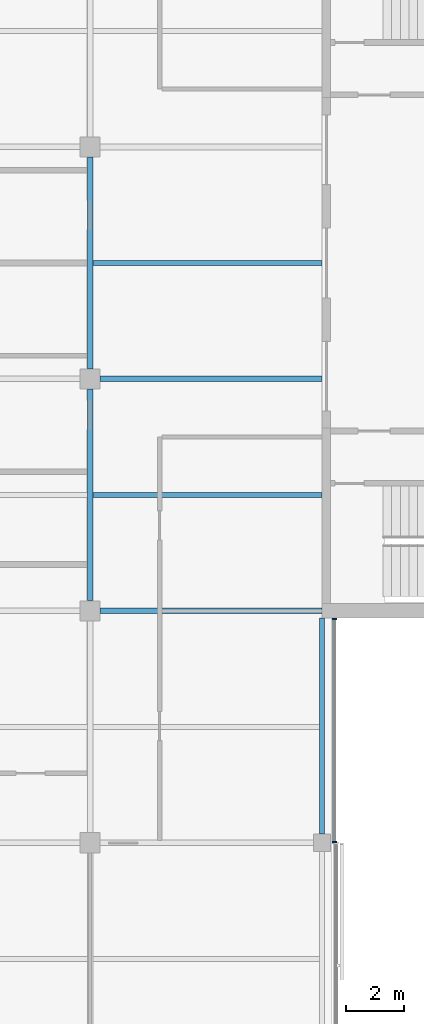
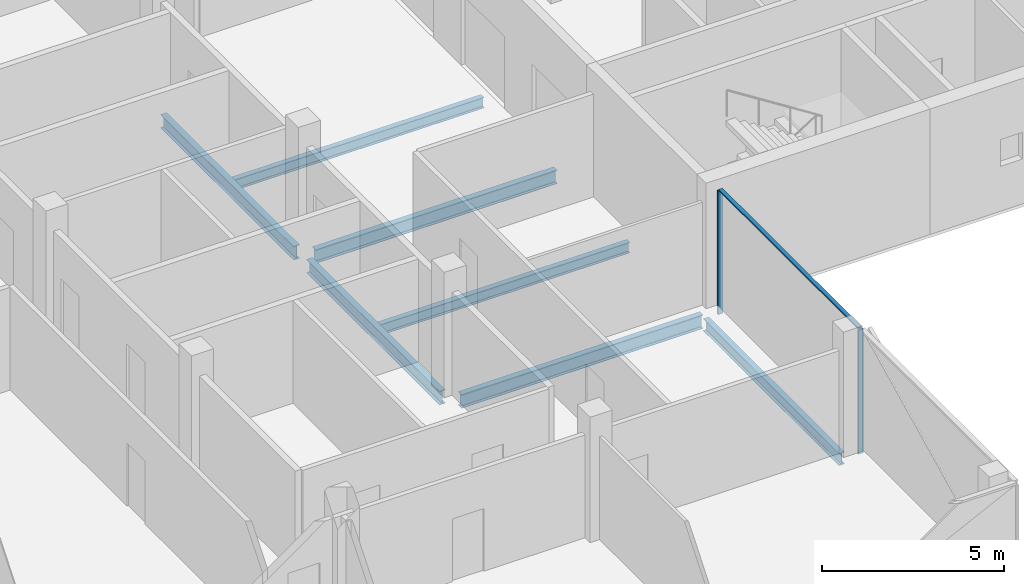
# One storey, part 4 of 16: 7 beams, 3 members, 1 element without a shape of its own.
"""IFC4 building model written with IfcOpenShell, lengths in metres."""

import ifcopenshell
import ifcopenshell.guid

model = None  # the IFC model being written
_history = None  # IfcOwnerHistory: only IFC2X3 demands one
_inside = {}  # id of a spatial element -> (the spatial element, [elements in it])
_under = {}  # id of a project, library or spatial element -> (it, [spatial elements below it])
_declared = {}  # id of a project -> (the project, [libraries it declares])
_typed = {}  # id of a type object -> (the type object, [elements of that type])
_made_of = {}  # id of a material, layer set ... -> (it, [elements and type objects made of it])


def new_model(schema):
    """Start an empty IFC model of exactly this schema.

    Asked for "IFC4X3", IfcOpenShell would pick the latest addendum, in which some entities
    have other attributes; the version numbers below select the first issue.
    IFC2X3 requires an IfcOwnerHistory on every rooted entity: one is made here for all.
    """
    global model, _history
    if schema == "IFC4X3":
        model = ifcopenshell.file(schema_version=(4, 3, 0, 0))
    else:
        model = ifcopenshell.file(schema=schema)
    _inside.clear()
    _under.clear()
    _declared.clear()
    _typed.clear()
    _made_of.clear()
    _history = None
    if model.schema == "IFC2X3":
        org = make("IfcOrganization", Name="unknown")
        user = make(
            "IfcPersonAndOrganization",
            ThePerson=make("IfcPerson", FamilyName="unknown"),
            TheOrganization=org,
        )
        app = make(
            "IfcApplication",
            ApplicationDeveloper=org,
            Version="unknown",
            ApplicationFullName="unknown",
            ApplicationIdentifier="unknown",
        )
        _history = make(
            "IfcOwnerHistory",
            OwningUser=user,
            OwningApplication=app,
            ChangeAction="ADDED",
            CreationDate=0,
        )
    return model


def make(cls, **values):
    """One entity of the class cls with the attributes given. An attribute that is None is left unset."""
    return model.create_entity(
        cls, **{name: value for name, value in values.items() if value is not None}
    )


def rooted(cls, **values):
    """An entity with a GlobalId (a new one), such as an element, a storey or a relation."""
    return make(cls, GlobalId=ifcopenshell.guid.new(), OwnerHistory=_history, **values)


def si_unit(unit_type, name, prefix=None):
    """IfcSIUnit, for example si_unit("LENGTHUNIT", "METRE", prefix="MILLI")."""
    return make("IfcSIUnit", UnitType=unit_type, Prefix=prefix, Name=name)


def assignment(units):
    """IfcUnitAssignment: the units of a project."""
    return None if units is None else make("IfcUnitAssignment", Units=units)


def point(xyz):
    """IfcCartesianPoint."""
    return None if xyz is None else make("IfcCartesianPoint", Coordinates=xyz)


def direction(xyz):
    """IfcDirection."""
    return None if xyz is None else make("IfcDirection", DirectionRatios=xyz)


def frame(location, z_axis=None, x_axis=None):
    """IfcAxis2Placement3D, a coordinate frame: its origin and axes. An axis left out is left unset."""
    return make(
        "IfcAxis2Placement3D",
        Location=point(location),
        Axis=direction(z_axis),
        RefDirection=direction(x_axis),
    )


def frame_2d(location, x_axis=None):
    """IfcAxis2Placement2D, a coordinate frame in the plane: its origin and x axis."""
    return make(
        "IfcAxis2Placement2D", Location=point(location), RefDirection=direction(x_axis)
    )


def origin():
    """The frame at (0, 0, 0) with its axes left unset."""
    return frame((0.0, 0.0, 0.0))


def origin_2d():
    """The frame at (0, 0) in the plane with its x axis left unset."""
    return frame_2d((0.0, 0.0))


def place(relative_to, where):
    """IfcLocalPlacement: puts the frame where relative to a parent placement (None: the world)."""
    return make(
        "IfcLocalPlacement", PlacementRelTo=relative_to, RelativePlacement=where
    )


def context(
    kind, dimensions, precision=None, world=None, true_north=None, identifier=None
):
    """IfcGeometricRepresentationContext, for example the 3D "Model" context."""
    return make(
        "IfcGeometricRepresentationContext",
        ContextIdentifier=identifier,
        ContextType=kind,
        CoordinateSpaceDimension=dimensions,
        Precision=precision,
        WorldCoordinateSystem=world,
        TrueNorth=true_north,
    )


def subcontext(parent, identifier, kind, view, scale=None):
    """IfcGeometricRepresentationSubContext, for example "Body" below "Model"."""
    return make(
        "IfcGeometricRepresentationSubContext",
        ContextIdentifier=identifier,
        ContextType=kind,
        ParentContext=parent,
        TargetScale=scale,
        TargetView=view,
    )


def project(units=None, contexts=None):
    """IfcProject with its units and contexts."""
    return rooted(
        "IfcProject",
        Name="project",
        RepresentationContexts=contexts,
        UnitsInContext=assignment(units),
    )


def spatial(cls, under=None, at=None, **own):
    """A site, building, storey or space (cls), placed at a placement, below another one or the project."""
    s = rooted(cls, ObjectPlacement=at, **own)
    if under is not None:
        _under.setdefault(under.id(), (under, []))[1].append(s)
    return s


def profile(cls, at=None, kind="AREA", **sizes):
    """A parametric profile (cls). Its sizes go by their IFC names, for example OverallWidth=200.0."""
    return make(cls, ProfileType=kind, Position=at, **sizes)


def rectangle(**sizes):
    """IfcRectangleProfileDef."""
    return profile("IfcRectangleProfileDef", **sizes)


def i_section(**sizes):
    """IfcIShapeProfileDef."""
    return profile("IfcIShapeProfileDef", **sizes)


def extrude(swept, where, along, depth):
    """IfcExtrudedAreaSolid: the profile swept, set in the frame where, extruded along a direction by depth."""
    return make(
        "IfcExtrudedAreaSolid",
        SweptArea=swept,
        Position=where,
        ExtrudedDirection=direction(along),
        Depth=depth,
    )


def shape(context_of_items, identifier, shape_type, items):
    """IfcShapeRepresentation: the items that make up one representation, for example the "Body"."""
    return make(
        "IfcShapeRepresentation",
        ContextOfItems=context_of_items,
        RepresentationIdentifier=identifier,
        RepresentationType=shape_type,
        Items=items,
    )


def material(Name=None, Category=None):
    """IfcMaterial."""
    return make("IfcMaterial", Name=Name, Category=Category)


def material_profile(
    of_material, cross_section, Name=None, Category=None, Priority=None
):
    """IfcMaterialProfile: a cross section and its material."""
    return make(
        "IfcMaterialProfile",
        Name=Name,
        Material=of_material,
        Profile=cross_section,
        Priority=Priority,
        Category=Category,
    )


def profile_set(profiles, Name=None, composite=None):
    """IfcMaterialProfileSet."""
    return make(
        "IfcMaterialProfileSet",
        Name=Name,
        MaterialProfiles=profiles,
        CompositeProfile=composite,
    )


def made_of(thing, what):
    """Note that an element or type object is made of a material, layer set ...; save() writes the relation."""
    if what is not None:
        _made_of.setdefault(what.id(), (what, []))[1].append(thing)
    return thing


def type_object(cls, material=None, **own):
    """A type object (cls), such as IfcWallType, which elements share."""
    return made_of(rooted(cls, **own), material)


def element(
    cls,
    number,
    at=None,
    inside=None,
    cuts=None,
    type_object=None,
    material=None,
    context=None,
    identifier="Body",
    shape_type=None,
    held_by="IfcProductDefinitionShape",
    body=None,
    shapes=None,
    **own,
):
    """One element of the class cls, such as IfcWall. Its Tag is "e" and its number.

    at: its placement. inside: the storey or other place that contains it. cuts: it is an
    opening in that element (IfcRelVoidsElement). A single representation is given by context,
    identifier, shape_type and body (its items); several are given by shapes. held_by: the class
    of the entity that holds the representations. save() writes the other relations.
    """
    e = rooted(cls, Tag="e%d" % number, ObjectPlacement=at, **own)
    if body is not None:
        shapes = [shape(context, identifier, shape_type, body)]
    if shapes is not None:
        e.Representation = make(held_by, Representations=shapes)
    if inside is not None:
        _inside.setdefault(inside.id(), (inside, []))[1].append(e)
    if cuts is not None:
        rooted(
            "IfcRelVoidsElement", RelatingBuildingElement=cuts, RelatedOpeningElement=e
        )
    if type_object is not None:
        _typed.setdefault(type_object.id(), (type_object, []))[1].append(e)
    return made_of(e, material)


def aggregate(whole, parts):
    """IfcRelAggregates: a whole, such as a stair, and the parts it consists of."""
    return rooted("IfcRelAggregates", RelatingObject=whole, RelatedObjects=parts)


def save(model, path):
    """Write the relations noted so far, then the file.

    IfcRelAggregates (storeys below a building ...), IfcRelContainedInSpatialStructure (elements
    in a storey), IfcRelDefinesByType, IfcRelAssociatesMaterial and IfcRelDeclares: one each for
    every whole, place, type object, material and project.
    """
    for whole, parts in _under.values():
        aggregate(whole, parts)
    for where, things in _inside.values():
        rooted(
            "IfcRelContainedInSpatialStructure",
            RelatedElements=things,
            RelatingStructure=where,
        )
    for kind, things in _typed.values():
        rooted("IfcRelDefinesByType", RelatedObjects=things, RelatingType=kind)
    for what, things in _made_of.values():
        rooted("IfcRelAssociatesMaterial", RelatedObjects=things, RelatingMaterial=what)
    for by, libraries in _declared.values():
        rooted("IfcRelDeclares", RelatingContext=by, RelatedDefinitions=libraries)
    model.write(path)


model = new_model("IFC4")

# Units and contexts
model_context = context("Model", 3, precision=1e-05, world=origin(), true_north=direction((0.0, 1.0)))
body_context = subcontext(model_context, "Body", "Model", "MODEL_VIEW")
ifc_project = project(units=[si_unit("LENGTHUNIT", "METRE"), si_unit("AREAUNIT", "SQUARE_METRE"), si_unit("VOLUMEUNIT", "CUBIC_METRE"), si_unit("PLANEANGLEUNIT", "RADIAN"), si_unit("MASSUNIT", "GRAM", prefix="KILO")], contexts=[model_context])

# Site, building, storey
site_placement = place(None, origin())
site = spatial("IfcSite", under=ifc_project, at=site_placement, CompositionType="ELEMENT")
building_placement = place(site_placement, origin())
building = spatial("IfcBuilding", under=site, at=building_placement, Name="Crosswind Convention Tower", CompositionType="ELEMENT")
storey_placement = place(building_placement, frame((0.0, 0.0, 249.300048828125)))
storey = spatial("IfcBuildingStorey", under=building, at=storey_placement, Name="L53", CompositionType="ELEMENT", Elevation=249.300048828125)

# Beams
ifc_material_1 = material(Name="Steel S355", Category="steel")
ifc_material_profile_1 = material_profile(ifc_material_1, i_section(OverallWidth=0.177734375, OverallDepth=0.406494140625, WebThickness=0.0078125, FlangeThickness=0.0126953125, FilletRadius=0.01025390625, at=origin_2d()), Name="UB 406x178x60")
ifc_profile_set_1 = profile_set([ifc_material_profile_1], Name="Steel S355")
beam_type_1 = type_object("IfcBeamType", Name="Edge beam UB 406x178x60", PredefinedType="SPANDREL", material=ifc_profile_set_1)
beam_placement = place(storey_placement, frame((137.0, 80.300048828125, -0.503173828125), z_axis=(0.0, 1.0, 0.0), x_axis=(-1.0, 0.0, 0.0)))
element("IfcBeam", 1, at=beam_placement, inside=storey, type_object=beam_type_1, Name="B15 L53 edge beam 12", PredefinedType="SPANDREL", context=body_context, shape_type="SweptSolid", body=[
    extrude(i_section(OverallWidth=0.177734375, OverallDepth=0.406494140625, WebThickness=0.0078125, FlangeThickness=0.0126953125, FilletRadius=0.01025390625, at=origin_2d()), origin(), (0.0, 0.0, 1.0), 7.449951171875),
])
ifc_material_profile_2 = material_profile(ifc_material_1, i_section(OverallWidth=0.18994140625, OverallDepth=0.45361328125, WebThickness=0.008544921875, FlangeThickness=0.0126953125, FilletRadius=0.01025390625, at=origin_2d()), Name="UB 457x191x67")
ifc_profile_set_2 = profile_set([ifc_material_profile_2], Name="Steel S355")
beam_type_2 = type_object("IfcBeamType", Name="Girder UB 457x191x67", PredefinedType="BEAM", material=ifc_profile_set_2)
for number, where, z_axis, x_axis, name in (
    (2, (129.0, 88.35009765625, -0.52685546875), (0.0, 1.0, 0.0), (-1.0, 0.0, 0.0), "B1 L53 girder 18"),
    (3, (129.0, 96.35009765625, -0.52685546875), (0.0, 1.0, 0.0), (-1.0, 0.0, 0.0), "B1 L53 girder 19"),
):
    element("IfcBeam", number, at=place(storey_placement, frame(where, z_axis=z_axis, x_axis=x_axis)), inside=storey, type_object=beam_type_2, Name=name, PredefinedType="BEAM", context=body_context, shape_type="SweptSolid", body=[
        extrude(i_section(OverallWidth=0.18994140625, OverallDepth=0.45361328125, WebThickness=0.008544921875, FlangeThickness=0.0126953125, FilletRadius=0.01025390625, at=origin_2d()), origin(), (0.0, 0.0, 1.0), 7.2998046875),
    ])
ifc_material_profile_3 = material_profile(ifc_material_1, i_section(OverallWidth=0.1904296875, OverallDepth=0.457275390625, WebThickness=0.009033203125, FlangeThickness=0.014404296875, FilletRadius=0.01025390625, at=origin_2d()), Name="UB 457x191x75")
ifc_profile_set_3 = profile_set([ifc_material_profile_3], Name="Steel S355")
beam_type_3 = type_object("IfcBeamType", Name="Girder at core wall UB 457x191x75", PredefinedType="BEAM", material=ifc_profile_set_3)
for number, where, z_axis, x_axis, name in (
    (4, (129.35009765625, 88.0, -0.528564453125), (1.0, 0.0, 0.0), (0.0, 1.0, 0.0), "B22 L53 girder at core wall 5"),
    (5, (129.35009765625, 96.0, -0.528564453125), (1.0, 0.0, 0.0), (0.0, 1.0, 0.0), "B22 L53 girder at core wall 6"),
):
    element("IfcBeam", number, at=place(storey_placement, frame(where, z_axis=z_axis, x_axis=x_axis)), inside=storey, type_object=beam_type_3, Name=name, PredefinedType="BEAM", context=body_context, shape_type="SweptSolid", body=[
        extrude(i_section(OverallWidth=0.1904296875, OverallDepth=0.457275390625, WebThickness=0.009033203125, FlangeThickness=0.014404296875, FilletRadius=0.01025390625, at=origin_2d()), origin(), (0.0, 0.0, 1.0), 7.64990234375),
    ])

# Curtain wall, members
ifc_material_2 = material(Name="Aluminium unitised curtain wall", Category="aluminium")
curtain_wall_type = type_object("IfcCurtainWallType", Name="CORE END SLOT WALL 160", PredefinedType="USERDEFINED", material=ifc_material_2)
curtain_wall_placement = place(storey_placement, origin())
curtain_wall = element("IfcCurtainWall", 6, at=curtain_wall_placement, inside=storey, type_object=curtain_wall_type, Name="CW6 L53 S-E.1-2 slot", ObjectType="UNITISED", PredefinedType="USERDEFINED")
ifc_material_3 = material(Name="Aluminium mullion", Category="aluminium")
ifc_material_profile_4 = material_profile(ifc_material_3, rectangle(XDim=0.159912109375, YDim=0.050048828125, at=origin_2d()), Name="AL 160X50")
ifc_profile_set_4 = profile_set([ifc_material_profile_4], Name="Aluminium mullion")
member_type_1 = type_object("IfcMemberType", Name="MULLION 50X160", PredefinedType="MULLION", material=ifc_profile_set_4)
member_1_placement = place(storey_placement, frame((137.429931640625, 80.02490234375, -0.300048828125), z_axis=(0.0, 0.0, 1.0), x_axis=(1.0, 0.0, 0.0)))
member_1 = element("IfcMember", 7, at=member_1_placement, type_object=member_type_1, Name="CW6 mullion 1", PredefinedType="MULLION", context=body_context, shape_type="SweptSolid", body=[
    extrude(rectangle(XDim=0.159912109375, YDim=0.050048828125, at=origin_2d()), origin(), (0.0, 0.0, 1.0), 4.14990234375),
])
member_2_placement = place(storey_placement, frame((137.429931640625, 87.72509765625, -0.300048828125), z_axis=(0.0, 0.0, 1.0), x_axis=(1.0, 0.0, 0.0)))
member_2 = element("IfcMember", 8, at=member_2_placement, type_object=member_type_1, Name="CW6 mullion 2", PredefinedType="MULLION", context=body_context, shape_type="SweptSolid", body=[
    extrude(rectangle(XDim=0.159912109375, YDim=0.050048828125, at=origin_2d()), origin(), (0.0, 0.0, 1.0), 4.14990234375),
])

# Beams
ifc_material_profile_5 = material_profile(ifc_material_1, i_section(OverallWidth=0.17138671875, OverallDepth=0.355712890625, WebThickness=0.00732421875, FlangeThickness=0.011474609375, FilletRadius=0.01025390625, at=origin_2d()), Name="UB 356x171x51")
ifc_profile_set_5 = profile_set([ifc_material_profile_5], Name="Steel S355")
beam_type_4 = type_object("IfcBeamType", Name="Secondary beam UB 356x171x51", PredefinedType="JOIST", material=ifc_profile_set_5)
for number, where, z_axis, x_axis, name in (
    (9, (129.094970703125, 92.0, -0.477783203125), (1.0, 0.0, 0.0), (0.0, 1.0, 0.0), "B8 L53 secondary beam 17"),
    (10, (129.094970703125, 100.0, -0.477783203125), (1.0, 0.0, 0.0), (0.0, 1.0, 0.0), "B8 L53 secondary beam 18"),
):
    element("IfcBeam", number, at=place(storey_placement, frame(where, z_axis=z_axis, x_axis=x_axis)), inside=storey, type_object=beam_type_4, Name=name, PredefinedType="JOIST", context=body_context, shape_type="SweptSolid", body=[
        extrude(i_section(OverallWidth=0.17138671875, OverallDepth=0.355712890625, WebThickness=0.00732421875, FlangeThickness=0.011474609375, FilletRadius=0.01025390625, at=origin_2d()), origin(), (0.0, 0.0, 1.0), 7.905029296875),
    ])

# Member
ifc_material_4 = material(Name="Aluminium transom", Category="aluminium")
ifc_material_profile_6 = material_profile(ifc_material_4, rectangle(XDim=0.1201171875, YDim=0.050048828125, at=origin_2d()), Name="AL 120X50")
ifc_profile_set_6 = profile_set([ifc_material_profile_6], Name="Aluminium transom")
member_type_2 = type_object("IfcMemberType", Name="TRANSOM 50X120", PredefinedType="USERDEFINED", material=ifc_profile_set_6)
member_3_placement = place(storey_placement, frame((137.429931640625, 80.050048828125, 3.875), z_axis=(0.0, 1.0, 0.0), x_axis=(-1.0, 0.0, 0.0)))
member_3 = element("IfcMember", 11, at=member_3_placement, type_object=member_type_2, Name="CW6 transom", ObjectType="TRANSOM", PredefinedType="USERDEFINED", context=body_context, shape_type="SweptSolid", body=[
    extrude(rectangle(XDim=0.1201171875, YDim=0.050048828125, at=origin_2d()), origin(), (0.0, 0.0, 1.0), 7.64990234375),
])

aggregate(curtain_wall, [member_1, member_2, member_3])

save(model, "model.ifc")
